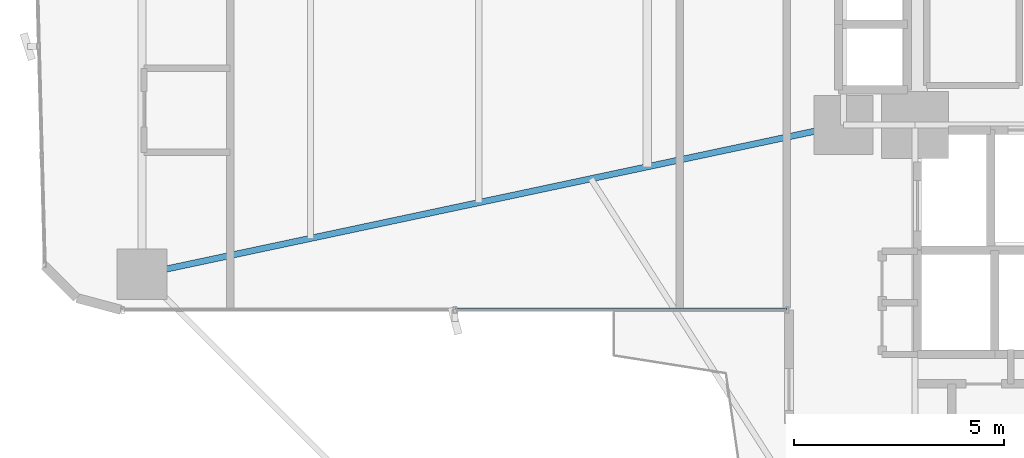
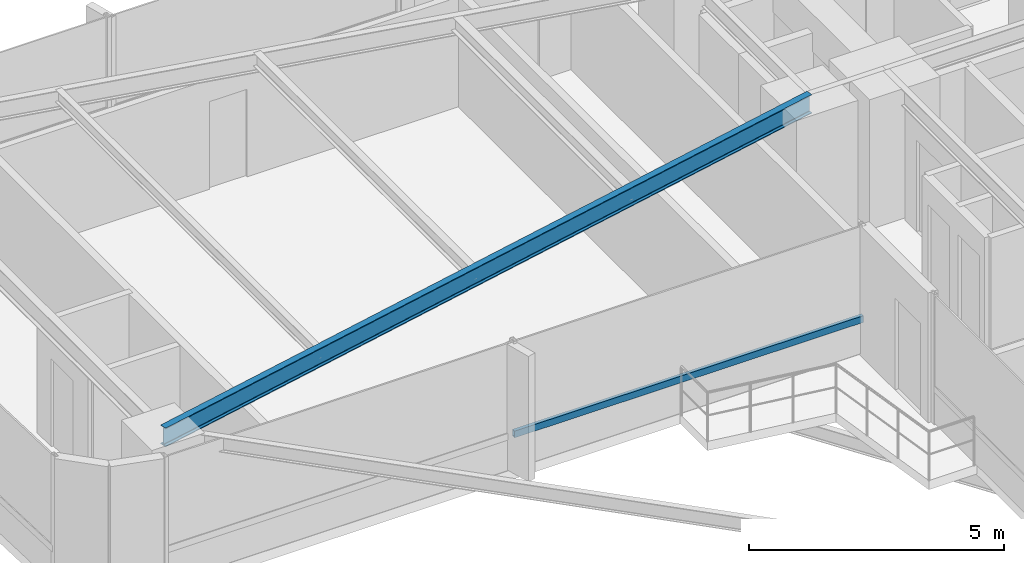
# One storey, part 7 of 26: 1 beam, 1 member, 1 element without a shape of its own.
"""IFC4 building model written with IfcOpenShell, lengths in metres."""

from ifc_helpers import new_model, si_unit, direction, frame, origin, origin_2d, place, context, subcontext, project, spatial, hollow_rectangle, i_section, extrude, source, transform, mapped, material, material_profile, profile_set, type_object, element, aggregate, save


model = new_model("IFC4")

# Units and contexts
model_context = context("Model", 3, precision=1e-05, world=origin(), true_north=direction((0.0, 1.0)))
body_context = subcontext(model_context, "Body", "Model", "MODEL_VIEW")
ifc_project = project(units=[si_unit("LENGTHUNIT", "METRE"), si_unit("AREAUNIT", "SQUARE_METRE"), si_unit("VOLUMEUNIT", "CUBIC_METRE"), si_unit("PLANEANGLEUNIT", "RADIAN"), si_unit("MASSUNIT", "GRAM", prefix="KILO")], contexts=[model_context])

# Site, building, storey
site_placement = place(None, origin())
site = spatial("IfcSite", under=ifc_project, at=site_placement, CompositionType="ELEMENT")
building_placement = place(site_placement, origin())
building = spatial("IfcBuilding", under=site, at=building_placement, Name="Sahyath Konkavel Grand Hotel", CompositionType="ELEMENT")
storey_placement = place(building_placement, frame((0.0, 0.0, 61.10009765625)))
storey = spatial("IfcBuildingStorey", under=building, at=storey_placement, Name="L16", CompositionType="ELEMENT", Elevation=61.10009765625)

# Beam
ifc_material_1 = material(Name="Steel E350", Category="steel")
ifc_material_profile_1 = material_profile(ifc_material_1, i_section(OverallWidth=0.14990234375, OverallDepth=0.449951171875, WebThickness=0.009521484375, FlangeThickness=0.017333984375, FilletRadius=0.014892578125, at=origin_2d()), Name="ISMB 450")
ifc_profile_set_1 = profile_set([ifc_material_profile_1], Name="Steel E350")
beam_type = type_object("IfcBeamType", Name="BM-ISMB450", PredefinedType="BEAM", material=ifc_profile_set_1)
shared_shape_1 = source(origin(), body_context, "Body", "SweptSolid", [
    extrude(i_section(OverallWidth=0.14990234375, OverallDepth=0.449951171875, WebThickness=0.009521484375, FlangeThickness=0.017333984375, FilletRadius=0.014892578125, at=origin_2d()), origin(), (0.0, 0.0, 1.0), 17.072998046875),
])
beam_placement = place(storey_placement, frame((-5.5, -2.39990234375, 2.885009765625), z_axis=(-0.978143257225, -0.20793212437, 0.0), x_axis=(0.20793212437, -0.978143257225, 0.0)))
element("IfcBeam", 1, at=beam_placement, inside=storey, type_object=beam_type, Name="L16 Cruciform Radial Girder WB", PredefinedType="BEAM", context=body_context, shape_type="MappedRepresentation", body=[
    mapped(shared_shape_1, transform((0.0, 0.0, 0.0), scale=1.0)),
])

# Curtain wall, member
ifc_material_2 = material(Name="Anodised Bronze Aluminium & Low-E Glazing", Category="aluminium")
curtain_wall_type = type_object("IfcCurtainWallType", Name="CW-ZONE1", PredefinedType="NOTDEFINED", material=ifc_material_2)
curtain_wall_placement = place(storey_placement, origin())
curtain_wall = element("IfcCurtainWall", 2, at=curtain_wall_placement, inside=storey, type_object=curtain_wall_type, Name="L16 Unitised Curtain Wall F23", PredefinedType="NOTDEFINED")
ifc_material_3 = material(Name="Anodised Bronze Aluminium", Category="aluminium")
ifc_material_profile_2 = material_profile(ifc_material_3, hollow_rectangle(XDim=0.080078125, YDim=0.159912109375, WallThickness=0.006103515625, at=origin_2d()), Name="RHS 160x80x6")
ifc_profile_set_2 = profile_set([ifc_material_profile_2], Name="Anodised Bronze Aluminium")
member_type = type_object("IfcMemberType", Name="CW-TRN-160", PredefinedType="USERDEFINED", material=ifc_profile_set_2)
shared_shape_2 = source(origin(), body_context, "Body", "SweptSolid", [
    extrude(hollow_rectangle(XDim=0.080078125, YDim=0.159912109375, WallThickness=0.006103515625, at=origin_2d()), origin(), (0.0, 0.0, 1.0), 7.909912109375),
])
member_placement = place(storey_placement, frame((-14.75, -6.800048828125, 0.849853515625), z_axis=(1.0, 0.0, 0.0), x_axis=(0.0, 1.0, 0.0)))
member = element("IfcMember", 3, at=member_placement, type_object=member_type, Name="L16 Curtain Wall Transom F23-1-spandrel", ObjectType="TRANSOM", PredefinedType="USERDEFINED", context=body_context, shape_type="MappedRepresentation", body=[
    mapped(shared_shape_2, transform((0.0, 0.0, 0.0), scale=1.0)),
])
aggregate(curtain_wall, [member])

save(model, "model.ifc")
